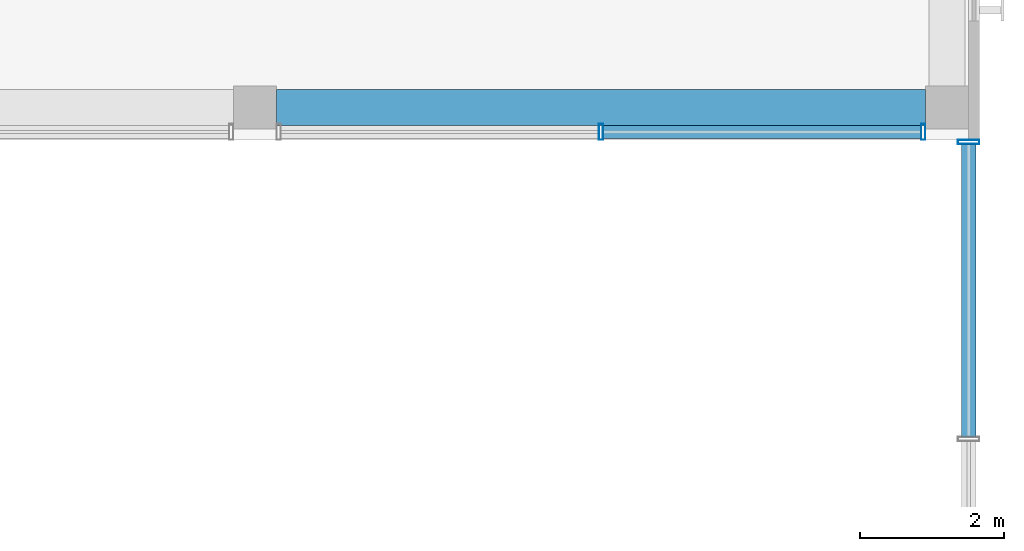
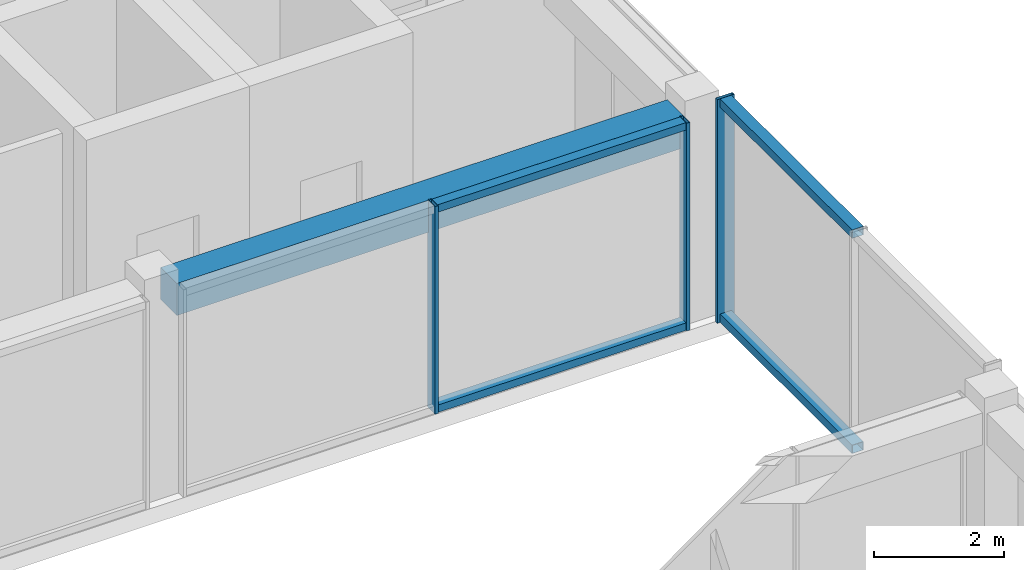
# One storey, part 13 of 28: 7 members, 1 beam, 2 elements without a shape of their own.
"""IFC4 building model written with IfcOpenShell, lengths in metres."""

from ifc_helpers import new_model, si_unit, direction, frame, origin, origin_2d, place, context, subcontext, project, spatial, rectangle, hollow_rectangle, extrude, material, layer, layer_set, material_profile, profile_set, type_object, element, aggregate, save


model = new_model("IFC4")

# Units and contexts
model_context = context("Model", 3, precision=1e-05, world=origin(), true_north=direction((0.0, 1.0)))
body_context = subcontext(model_context, "Body", "Model", "MODEL_VIEW")
ifc_project = project(units=[si_unit("LENGTHUNIT", "METRE"), si_unit("AREAUNIT", "SQUARE_METRE"), si_unit("VOLUMEUNIT", "CUBIC_METRE"), si_unit("PLANEANGLEUNIT", "RADIAN"), si_unit("MASSUNIT", "GRAM", prefix="KILO")], contexts=[model_context])

# Site, building, storey
site_placement = place(None, origin())
site = spatial("IfcSite", under=ifc_project, at=site_placement, CompositionType="ELEMENT")
building_placement = place(site_placement, origin())
building = spatial("IfcBuilding", under=site, at=building_placement, Name="Nzadi Deep Aquarium and Research Tower", CompositionType="ELEMENT")
storey_placement = place(building_placement, frame((0.0, 0.0, 73.89990234375)))
storey = spatial("IfcBuildingStorey", under=building, at=storey_placement, Name="L15", CompositionType="ELEMENT", Elevation=73.89990234375)

# Curtain wall, members
ifc_material_1 = material(Name="Aluminium unitised frame deep", Category="aluminium")
ifc_layer_1 = layer(ifc_material_1, 0.22509765625)
ifc_layer_set_1 = layer_set([ifc_layer_1], Name="Aluminium unitised frame deep")
curtain_wall_type_1 = type_object("IfcCurtainWallType", Name="Curtain wall Unitised Deep 225", PredefinedType="NOTDEFINED", material=ifc_layer_set_1)
curtain_wall_1_placement = place(storey_placement, origin())
curtain_wall_1 = element("IfcCurtainWall", 1, at=curtain_wall_1_placement, inside=storey, type_object=curtain_wall_type_1, Name="Unitised curtain wall blade B south L15", PredefinedType="NOTDEFINED")
ifc_material_2 = material(Name="Aluminium unitised frame deep", Category="aluminium")
ifc_material_profile_1 = material_profile(ifc_material_2, hollow_rectangle(XDim=0.22509765625, YDim=0.06005859375, WallThickness=0.0048828125, at=origin_2d()))
ifc_profile_set_1 = profile_set([ifc_material_profile_1], Name="Aluminium unitised frame deep")
member_type_1 = type_object("IfcMemberType", Name="Mullion 60x225 Unitised Deep", PredefinedType="MULLION", material=ifc_profile_set_1)
member_1_placement = place(storey_placement, frame((33.60009765625, 27.262451171875, 0.0), z_axis=(0.0, 0.0, 1.0), x_axis=(0.0, 1.0, 0.0)))
member_1 = element("IfcMember", 2, at=member_1_placement, type_object=member_type_1, Name="CW187 mullion 2", PredefinedType="MULLION", context=body_context, shape_type="SweptSolid", body=[
    extrude(hollow_rectangle(XDim=0.22509765625, YDim=0.06005859375, WallThickness=0.0048828125, at=origin_2d()), origin(), (0.0, 0.0, 1.0), 3.900146484375),
])
member_2_placement = place(storey_placement, frame((38.070068359375, 27.262451171875, 0.0), z_axis=(0.0, 0.0, 1.0), x_axis=(0.0, 1.0, 0.0)))
member_2 = element("IfcMember", 3, at=member_2_placement, type_object=member_type_1, Name="CW187 mullion 3", PredefinedType="MULLION", context=body_context, shape_type="SweptSolid", body=[
    extrude(hollow_rectangle(XDim=0.22509765625, YDim=0.06005859375, WallThickness=0.0048828125, at=origin_2d()), origin(), (0.0, 0.0, 1.0), 3.900146484375),
])

# Curtain wall, member
ifc_material_3 = material(Name="Aluminium unitised frame wind post", Category="aluminium")
ifc_layer_2 = layer(ifc_material_3, 0.300048828125)
ifc_layer_set_2 = layer_set([ifc_layer_2], Name="Aluminium unitised frame wind post")
curtain_wall_type_2 = type_object("IfcCurtainWallType", Name="Curtain wall Slot End 300", PredefinedType="NOTDEFINED", material=ifc_layer_set_2)
curtain_wall_2_placement = place(storey_placement, origin())
curtain_wall_2 = element("IfcCurtainWall", 4, at=curtain_wall_2_placement, inside=storey, type_object=curtain_wall_type_2, Name="Glazed slot end east L15", PredefinedType="NOTDEFINED")
ifc_material_4 = material(Name="Aluminium unitised frame wind post", Category="aluminium")
ifc_material_profile_2 = material_profile(ifc_material_4, hollow_rectangle(XDim=0.300048828125, YDim=0.06005859375, WallThickness=0.0048828125, at=origin_2d()))
ifc_profile_set_2 = profile_set([ifc_material_profile_2], Name="Aluminium unitised frame wind post")
member_type_2 = type_object("IfcMemberType", Name="Mullion 60x300 Slot End", PredefinedType="MULLION", material=ifc_profile_set_2)
member_3_placement = place(storey_placement, frame((38.699951171875, 27.1201171875, 0.0), z_axis=(0.0, 0.0, 1.0), x_axis=(-1.0, 0.0, 0.0)))
member_3 = element("IfcMember", 5, at=member_3_placement, type_object=member_type_2, Name="CW222 mullion 3", PredefinedType="MULLION", context=body_context, shape_type="SweptSolid", body=[
    extrude(hollow_rectangle(XDim=0.300048828125, YDim=0.06005859375, WallThickness=0.0048828125, at=origin_2d()), origin(), (0.0, 0.0, 1.0), 4.2001953125),
])

# Beam
ifc_material_5 = material(Name="Concrete C35/45", Category="concrete")
ifc_material_profile_3 = material_profile(ifc_material_5, rectangle(XDim=0.5, YDim=0.60009765625, at=origin_2d()))
ifc_profile_set_3 = profile_set([ifc_material_profile_3], Name="Concrete C35/45")
beam_type = type_object("IfcBeamType", Name="RC 500x600", PredefinedType="BEAM", material=ifc_profile_set_3)
beam_placement = place(storey_placement, frame((29.10009765625, 27.60009765625, 3.60009765625), z_axis=(1.0, 0.0, 0.0), x_axis=(0.0, 1.0, 0.0)))
element("IfcBeam", 6, at=beam_placement, inside=storey, type_object=beam_type, Name="B-Z1-L15-L4-4", PredefinedType="BEAM", context=body_context, shape_type="SweptSolid", body=[
    extrude(rectangle(XDim=0.5, YDim=0.60009765625, at=origin_2d()), origin(), (0.0, 0.0, 1.0), 9.0),
])

# Member
ifc_material_6 = material(Name="Aluminium unitised frame deep", Category="aluminium")
ifc_material_profile_4 = material_profile(ifc_material_6, hollow_rectangle(XDim=0.179931640625, YDim=0.139892578125, WallThickness=0.0048828125, at=origin_2d()))
ifc_profile_set_4 = profile_set([ifc_material_profile_4], Name="Aluminium unitised frame deep")
member_type_3 = type_object("IfcMemberType", Name="Transom 140x180 Unitised Deep", PredefinedType="MULLION", material=ifc_profile_set_4)
member_4_placement = place(storey_placement, frame((33.6298828125, 27.262451171875, 0.070068359375), z_axis=(1.0, 0.0, 0.0), x_axis=(0.0, 1.0, 0.0)))
member_4 = element("IfcMember", 7, at=member_4_placement, type_object=member_type_3, Name="CW187 transom 2.1", PredefinedType="MULLION", context=body_context, shape_type="SweptSolid", body=[
    extrude(hollow_rectangle(XDim=0.179931640625, YDim=0.139892578125, WallThickness=0.0048828125, at=origin_2d()), origin(), (0.0, 0.0, 1.0), 4.41015625),
])

member_5_placement = place(storey_placement, frame((33.6298828125, 27.262451171875, 3.830078125), z_axis=(1.0, 0.0, 0.0), x_axis=(0.0, 1.0, 0.0)))
member_5 = element("IfcMember", 8, at=member_5_placement, type_object=member_type_3, Name="CW187 transom 2.2", PredefinedType="MULLION", context=body_context, shape_type="SweptSolid", body=[
    extrude(hollow_rectangle(XDim=0.179931640625, YDim=0.139892578125, WallThickness=0.0048828125, at=origin_2d()), origin(), (0.0, 0.0, 1.0), 4.41015625),
])

aggregate(curtain_wall_1, [member_1, member_2, member_4, member_5])

ifc_material_7 = material(Name="Aluminium unitised frame wind post", Category="aluminium")
ifc_material_profile_5 = material_profile(ifc_material_7, hollow_rectangle(XDim=0.199951171875, YDim=0.159912109375, WallThickness=0.0048828125, at=origin_2d()))
ifc_profile_set_5 = profile_set([ifc_material_profile_5], Name="Aluminium unitised frame wind post")
member_type_4 = type_object("IfcMemberType", Name="Transom 160x200 Slot End", PredefinedType="MULLION", material=ifc_profile_set_5)
member_6_placement = place(storey_placement, frame((38.699951171875, 23.030029296875, 0.080078125), z_axis=(0.0, 1.0, 0.0), x_axis=(-1.0, 0.0, 0.0)))
member_6 = element("IfcMember", 9, at=member_6_placement, type_object=member_type_4, Name="CW222 transom 2.1", PredefinedType="MULLION", context=body_context, shape_type="SweptSolid", body=[
    extrude(hollow_rectangle(XDim=0.199951171875, YDim=0.159912109375, WallThickness=0.0048828125, at=origin_2d()), origin(), (0.0, 0.0, 1.0), 4.06005859375),
])

member_7_placement = place(storey_placement, frame((38.699951171875, 23.030029296875, 4.1201171875), z_axis=(0.0, 1.0, 0.0), x_axis=(-1.0, 0.0, 0.0)))
member_7 = element("IfcMember", 10, at=member_7_placement, type_object=member_type_4, Name="CW222 transom 2.2", PredefinedType="MULLION", context=body_context, shape_type="SweptSolid", body=[
    extrude(hollow_rectangle(XDim=0.199951171875, YDim=0.159912109375, WallThickness=0.0048828125, at=origin_2d()), origin(), (0.0, 0.0, 1.0), 4.06005859375),
])

aggregate(curtain_wall_2, [member_3, member_6, member_7])

save(model, "model.ifc")
